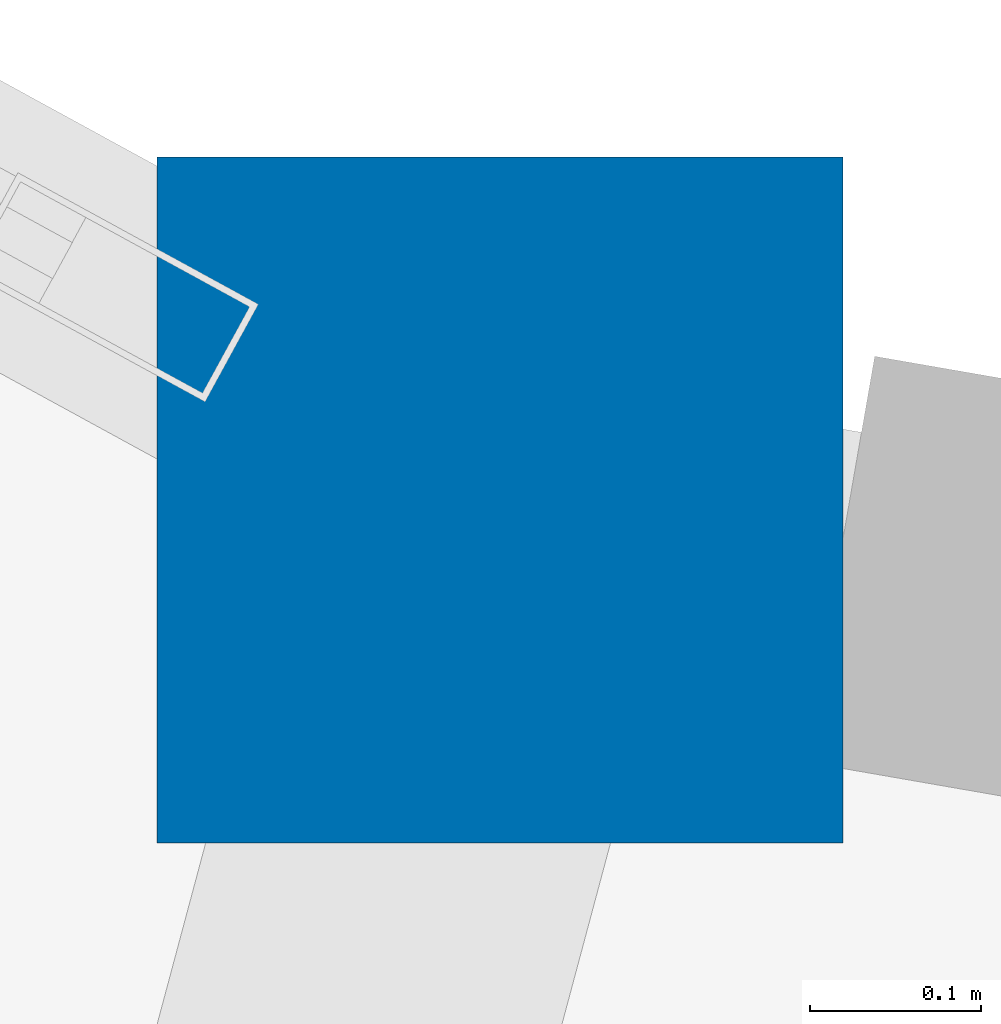
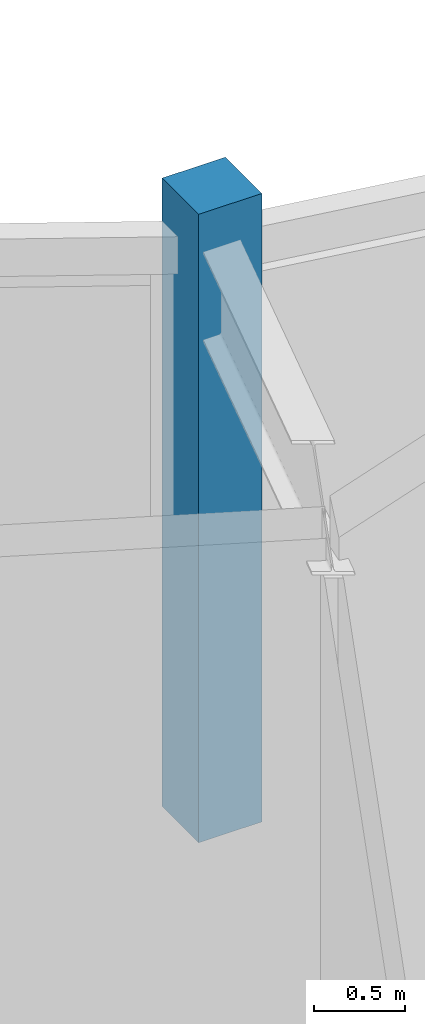
# One storey, part 4 of 130: 1 column.
"""IFC4 building model written with IfcOpenShell, lengths in metres."""

from ifc_helpers import new_model, si_unit, direction, frame, origin, origin_2d, place, context, subcontext, project, spatial, rectangle, extrude, material, material_profile, profile_set, type_object, element, save


model = new_model("IFC4")

# Units and contexts
model_context = context("Model", 3, precision=1e-05, world=origin(), true_north=direction((0.0, 1.0)))
body_context = subcontext(model_context, "Body", "Model", "MODEL_VIEW")
ifc_project = project(units=[si_unit("LENGTHUNIT", "METRE"), si_unit("AREAUNIT", "SQUARE_METRE"), si_unit("VOLUMEUNIT", "CUBIC_METRE"), si_unit("PLANEANGLEUNIT", "RADIAN"), si_unit("MASSUNIT", "GRAM", prefix="KILO")], contexts=[model_context])

# Site, building, storey
site_placement = place(None, origin())
site = spatial("IfcSite", under=ifc_project, at=site_placement, CompositionType="ELEMENT")
building_placement = place(site_placement, origin())
building = spatial("IfcBuilding", under=site, at=building_placement, Name="Karori Crest Natural Sciences Institute", CompositionType="ELEMENT")
storey_placement = place(building_placement, frame((0.0, 0.0, 17.5)))
storey = spatial("IfcBuildingStorey", under=building, at=storey_placement, Name="L04", CompositionType="ELEMENT", Elevation=17.5)

# Column
ifc_material = material(Name="Concrete 50 MPa", Category="concrete")
ifc_material_profile = material_profile(ifc_material, rectangle(XDim=0.39990234375, YDim=0.39990234375, at=origin_2d()), Name="RC400x400")
ifc_profile_set = profile_set([ifc_material_profile], Name="Concrete 50 MPa")
column_type = type_object("IfcColumnType", Name="CT-31", PredefinedType="PILASTER", material=ifc_profile_set)
column_placement = place(storey_placement, frame((60.084716796875, 18.797119140625, 0.0), z_axis=(0.0, 0.0, 1.0), x_axis=(1.0, 0.0, 0.0)))
element("IfcColumn", 1, at=column_placement, inside=storey, type_object=column_type, Name="Column C-0292", PredefinedType="PILASTER", context=body_context, shape_type="SweptSolid", body=[
    extrude(rectangle(XDim=0.39990234375, YDim=0.39990234375, at=origin_2d()), origin(), (0.0, 0.0, 1.0), 4.199951171875),
])

save(model, "model.ifc")
